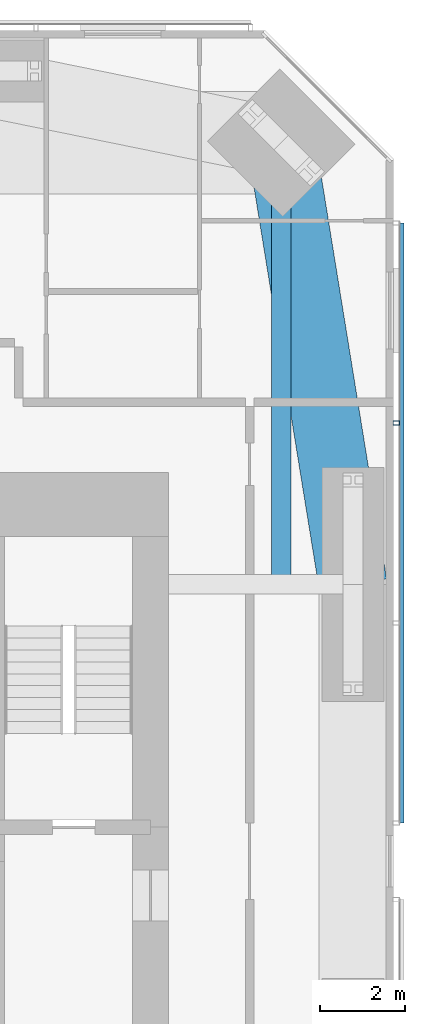
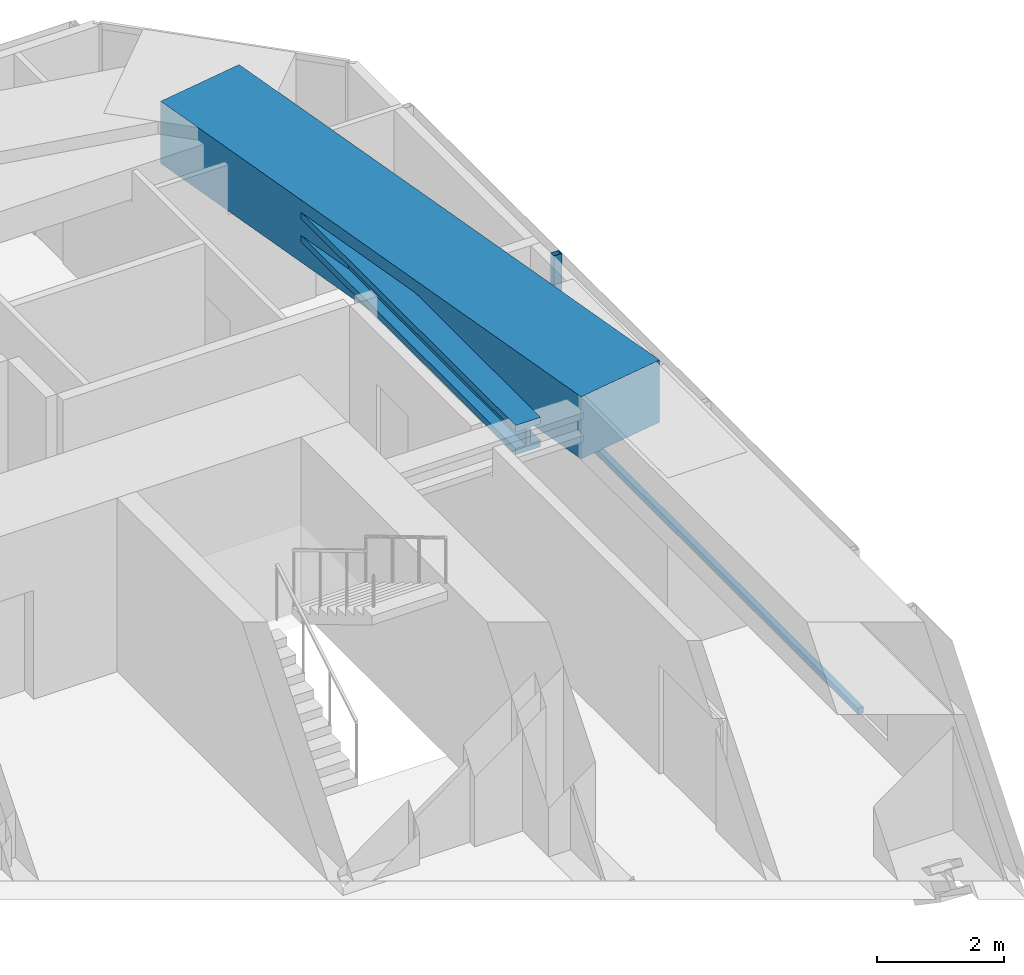
# One storey, part 11 of 24: 2 beams, 2 members, 1 element without a shape of its own.
"""IFC4 building model written with IfcOpenShell, lengths in metres."""

from ifc_helpers import new_model, si_unit, direction, frame, origin, origin_2d, place, context, subcontext, project, spatial, rectangle, hollow_rectangle, i_section, extrude, material, material_profile, profile_set, type_object, element, aggregate, save


model = new_model("IFC4")

# Units and contexts
model_context = context("Model", 3, precision=1e-05, world=origin(), true_north=direction((0.0, 1.0)))
body_context = subcontext(model_context, "Body", "Model", "MODEL_VIEW")
ifc_project = project(units=[si_unit("LENGTHUNIT", "METRE"), si_unit("AREAUNIT", "SQUARE_METRE"), si_unit("VOLUMEUNIT", "CUBIC_METRE"), si_unit("PLANEANGLEUNIT", "RADIAN"), si_unit("MASSUNIT", "GRAM", prefix="KILO")], contexts=[model_context])

# Site, building, storey
site_placement = place(None, origin())
site = spatial("IfcSite", under=ifc_project, at=site_placement, CompositionType="ELEMENT")
building_placement = place(site_placement, origin())
building = spatial("IfcBuilding", under=site, at=building_placement, Name="Jalousie Tower", CompositionType="ELEMENT")
storey_placement = place(building_placement, frame((0.0, 0.0, 124.949951171875)))
storey = spatial("IfcBuildingStorey", under=building, at=storey_placement, Name="L34", CompositionType="ELEMENT", Elevation=124.949951171875)

# Beams
ifc_material_1 = material(Name="Steel ASTM A992 Grade 50", Category="steel")
ifc_material_profile_1 = material_profile(ifc_material_1, i_section(OverallWidth=0.45458984375, OverallDepth=0.569091796875, WebThickness=0.077880859375, FlangeThickness=0.124755859375, at=origin_2d()), Name="W14X730")
ifc_profile_set_1 = profile_set([ifc_material_profile_1], Name="Steel ASTM A992 Grade 50")
beam_type_1 = type_object("IfcBeamType", Name="LEAN COLLECTOR W14X730", PredefinedType="BEAM", material=ifc_profile_set_1)
beam_1_placement = place(storey_placement, frame((46.86865234375, 35.36865234375, 2.825439453125), z_axis=(0.0, -1.0, 0.0), x_axis=(1.0, 0.0, 0.0)))
element("IfcBeam", 1, at=beam_1_placement, inside=storey, type_object=beam_type_1, Name="Lean collector under L35", PredefinedType="BEAM", context=body_context, shape_type="SweptSolid", body=[
    extrude(i_section(OverallWidth=0.45458984375, OverallDepth=0.569091796875, WebThickness=0.077880859375, FlangeThickness=0.124755859375, at=origin_2d()), origin(), (0.0, 0.0, 1.0), 10.36865234375),
])
ifc_material_2 = material(Name="Concrete f'c 40 MPa", Category="concrete")
ifc_material_profile_2 = material_profile(ifc_material_2, rectangle(XDim=1.60009765625, YDim=1.199951171875, at=origin_2d()), Name="RC 1600x1200")
ifc_profile_set_2 = profile_set([ifc_material_profile_2], Name="Concrete f'c 40 MPa")
beam_type_2 = type_object("IfcBeamType", Name="RC BEAM 1600x1200", PredefinedType="BEAM", material=ifc_profile_set_2)
beam_2_placement = place(storey_placement, frame((48.550048828125, 25.0, 2.75), z_axis=(-0.160070546476, 0.987105577003, 0.0), x_axis=(-0.987105577003, -0.160070546476, 0.0)))
element("IfcBeam", 2, at=beam_2_placement, inside=storey, type_object=beam_type_2, Name="Edge band beam 07-08 under L35", PredefinedType="BEAM", context=body_context, shape_type="SweptSolid", body=[
    extrude(rectangle(XDim=1.60009765625, YDim=1.199951171875, at=origin_2d()), origin(), (0.0, 0.0, 1.0), 10.504150390625),
])

# Curtain wall, members
ifc_material_3 = material(Name="Perforated aluminium sheet", Category="aluminium")
curtain_wall_type = type_object("IfcCurtainWallType", Name="SOLAR SCREEN SS-1", PredefinedType="USERDEFINED", material=ifc_material_3)
curtain_wall_placement = place(storey_placement, origin())
curtain_wall = element("IfcCurtainWall", 3, at=curtain_wall_placement, inside=storey, type_object=curtain_wall_type, Name="Solar screen L34", ObjectType="SOLAR SCREEN SS-1", PredefinedType="USERDEFINED")
ifc_material_4 = material(Name="Steel ASTM A500 Grade C", Category="steel")
ifc_material_profile_3 = material_profile(ifc_material_4, hollow_rectangle(XDim=0.1015625, YDim=0.15234375, WallThickness=0.00634765625, at=origin_2d()), Name="HSS6X4X1/4")
ifc_profile_set_3 = profile_set([ifc_material_profile_3], Name="Steel ASTM A500 Grade C")
member_type_1 = type_object("IfcMemberType", Name="SOLAR SCREEN SS-1 MULLION", PredefinedType="MULLION", material=ifc_profile_set_3)
member_1_placement = place(storey_placement, frame((49.5712890625, 28.790771484375, -0.119873046875), z_axis=(0.0, 0.0, 1.0), x_axis=(0.0, 1.0, 0.0)))
member_1 = element("IfcMember", 4, at=member_1_placement, type_object=member_type_1, Name="SS1 post 3", PredefinedType="MULLION", context=body_context, shape_type="SweptSolid", body=[
    extrude(hollow_rectangle(XDim=0.1015625, YDim=0.15234375, WallThickness=0.00634765625, at=origin_2d()), origin(), (0.0, 0.0, 1.0), 3.22998046875),
])
ifc_material_5 = material(Name="Extruded aluminium screen rail", Category="aluminium")
ifc_material_profile_4 = material_profile(ifc_material_5, rectangle(XDim=0.1015625, YDim=0.1201171875, at=origin_2d()), Name="RAIL 102x120")
ifc_profile_set_4 = profile_set([ifc_material_profile_4], Name="Extruded aluminium screen rail")
member_type_2 = type_object("IfcMemberType", Name="SOLAR SCREEN SS-1 TRANSOM", PredefinedType="USERDEFINED", material=ifc_profile_set_4)
member_2_placement = place(storey_placement, frame((49.6982421875, 19.39990234375, -0.06005859375), z_axis=(0.0, 1.0, 0.0), x_axis=(-1.0, 0.0, 0.0)))
member_2 = element("IfcMember", 5, at=member_2_placement, type_object=member_type_2, Name="SS1 rail", ObjectType="TRANSOM", PredefinedType="USERDEFINED", context=body_context, shape_type="SweptSolid", body=[
    extrude(rectangle(XDim=0.1015625, YDim=0.1201171875, at=origin_2d()), origin(), (0.0, 0.0, 1.0), 14.086181640625),
])
aggregate(curtain_wall, [member_1, member_2])

save(model, "model.ifc")
